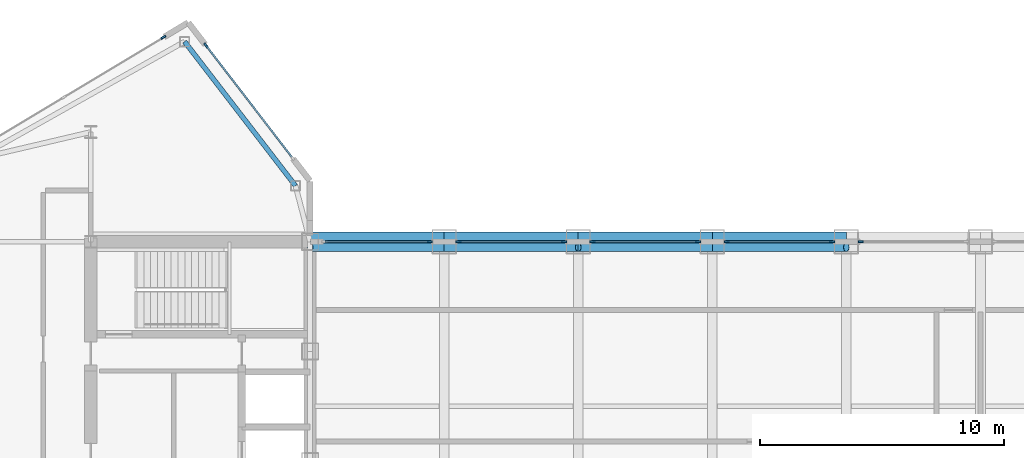
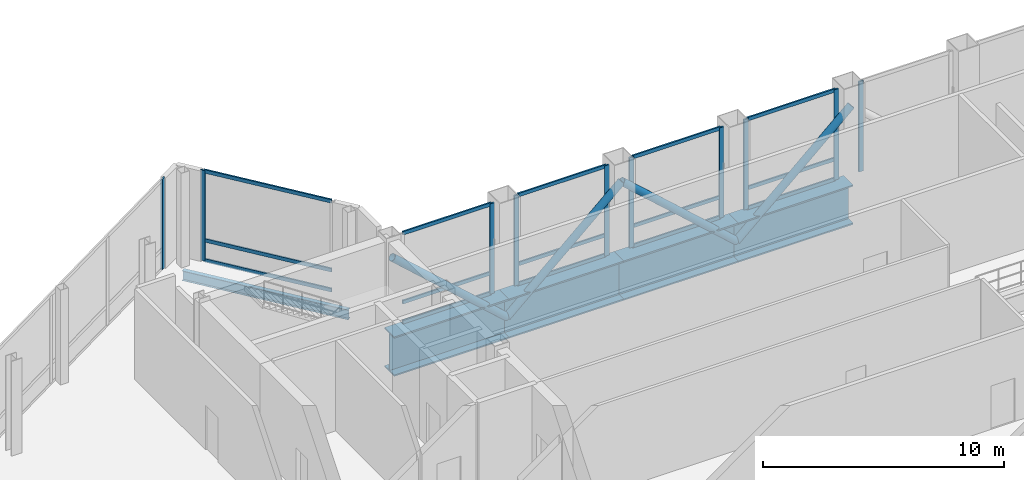
# One storey, part 12 of 30: 29 members, 5 beams, 7 elements without a shape of their own.
"""IFC4 building model written with IfcOpenShell, lengths in metres."""

import ifcopenshell
import ifcopenshell.guid

model = None  # the IFC model being written
_history = None  # IfcOwnerHistory: only IFC2X3 demands one
_inside = {}  # id of a spatial element -> (the spatial element, [elements in it])
_under = {}  # id of a project, library or spatial element -> (it, [spatial elements below it])
_declared = {}  # id of a project -> (the project, [libraries it declares])
_typed = {}  # id of a type object -> (the type object, [elements of that type])
_made_of = {}  # id of a material, layer set ... -> (it, [elements and type objects made of it])


def new_model(schema):
    """Start an empty IFC model of exactly this schema.

    Asked for "IFC4X3", IfcOpenShell would pick the latest addendum, in which some entities
    have other attributes; the version numbers below select the first issue.
    IFC2X3 requires an IfcOwnerHistory on every rooted entity: one is made here for all.
    """
    global model, _history
    if schema == "IFC4X3":
        model = ifcopenshell.file(schema_version=(4, 3, 0, 0))
    else:
        model = ifcopenshell.file(schema=schema)
    _inside.clear()
    _under.clear()
    _declared.clear()
    _typed.clear()
    _made_of.clear()
    _history = None
    if model.schema == "IFC2X3":
        org = make("IfcOrganization", Name="unknown")
        user = make(
            "IfcPersonAndOrganization",
            ThePerson=make("IfcPerson", FamilyName="unknown"),
            TheOrganization=org,
        )
        app = make(
            "IfcApplication",
            ApplicationDeveloper=org,
            Version="unknown",
            ApplicationFullName="unknown",
            ApplicationIdentifier="unknown",
        )
        _history = make(
            "IfcOwnerHistory",
            OwningUser=user,
            OwningApplication=app,
            ChangeAction="ADDED",
            CreationDate=0,
        )
    return model


def make(cls, **values):
    """One entity of the class cls with the attributes given. An attribute that is None is left unset."""
    return model.create_entity(
        cls, **{name: value for name, value in values.items() if value is not None}
    )


def rooted(cls, **values):
    """An entity with a GlobalId (a new one), such as an element, a storey or a relation."""
    return make(cls, GlobalId=ifcopenshell.guid.new(), OwnerHistory=_history, **values)


def si_unit(unit_type, name, prefix=None):
    """IfcSIUnit, for example si_unit("LENGTHUNIT", "METRE", prefix="MILLI")."""
    return make("IfcSIUnit", UnitType=unit_type, Prefix=prefix, Name=name)


def assignment(units):
    """IfcUnitAssignment: the units of a project."""
    return None if units is None else make("IfcUnitAssignment", Units=units)


def point(xyz):
    """IfcCartesianPoint."""
    return None if xyz is None else make("IfcCartesianPoint", Coordinates=xyz)


def direction(xyz):
    """IfcDirection."""
    return None if xyz is None else make("IfcDirection", DirectionRatios=xyz)


def frame(location, z_axis=None, x_axis=None):
    """IfcAxis2Placement3D, a coordinate frame: its origin and axes. An axis left out is left unset."""
    return make(
        "IfcAxis2Placement3D",
        Location=point(location),
        Axis=direction(z_axis),
        RefDirection=direction(x_axis),
    )


def frame_2d(location, x_axis=None):
    """IfcAxis2Placement2D, a coordinate frame in the plane: its origin and x axis."""
    return make(
        "IfcAxis2Placement2D", Location=point(location), RefDirection=direction(x_axis)
    )


def origin():
    """The frame at (0, 0, 0) with its axes left unset."""
    return frame((0.0, 0.0, 0.0))


def origin_2d():
    """The frame at (0, 0) in the plane with its x axis left unset."""
    return frame_2d((0.0, 0.0))


def place(relative_to, where):
    """IfcLocalPlacement: puts the frame where relative to a parent placement (None: the world)."""
    return make(
        "IfcLocalPlacement", PlacementRelTo=relative_to, RelativePlacement=where
    )


def context(
    kind, dimensions, precision=None, world=None, true_north=None, identifier=None
):
    """IfcGeometricRepresentationContext, for example the 3D "Model" context."""
    return make(
        "IfcGeometricRepresentationContext",
        ContextIdentifier=identifier,
        ContextType=kind,
        CoordinateSpaceDimension=dimensions,
        Precision=precision,
        WorldCoordinateSystem=world,
        TrueNorth=true_north,
    )


def subcontext(parent, identifier, kind, view, scale=None):
    """IfcGeometricRepresentationSubContext, for example "Body" below "Model"."""
    return make(
        "IfcGeometricRepresentationSubContext",
        ContextIdentifier=identifier,
        ContextType=kind,
        ParentContext=parent,
        TargetScale=scale,
        TargetView=view,
    )


def project(units=None, contexts=None):
    """IfcProject with its units and contexts."""
    return rooted(
        "IfcProject",
        Name="project",
        RepresentationContexts=contexts,
        UnitsInContext=assignment(units),
    )


def spatial(cls, under=None, at=None, **own):
    """A site, building, storey or space (cls), placed at a placement, below another one or the project."""
    s = rooted(cls, ObjectPlacement=at, **own)
    if under is not None:
        _under.setdefault(under.id(), (under, []))[1].append(s)
    return s


def profile(cls, at=None, kind="AREA", **sizes):
    """A parametric profile (cls). Its sizes go by their IFC names, for example OverallWidth=200.0."""
    return make(cls, ProfileType=kind, Position=at, **sizes)


def rectangle(**sizes):
    """IfcRectangleProfileDef."""
    return profile("IfcRectangleProfileDef", **sizes)


def hollow_circle(**sizes):
    """IfcCircleHollowProfileDef."""
    return profile("IfcCircleHollowProfileDef", **sizes)


def i_section(**sizes):
    """IfcIShapeProfileDef."""
    return profile("IfcIShapeProfileDef", **sizes)


def extrude(swept, where, along, depth):
    """IfcExtrudedAreaSolid: the profile swept, set in the frame where, extruded along a direction by depth."""
    return make(
        "IfcExtrudedAreaSolid",
        SweptArea=swept,
        Position=where,
        ExtrudedDirection=direction(along),
        Depth=depth,
    )


def shape(context_of_items, identifier, shape_type, items):
    """IfcShapeRepresentation: the items that make up one representation, for example the "Body"."""
    return make(
        "IfcShapeRepresentation",
        ContextOfItems=context_of_items,
        RepresentationIdentifier=identifier,
        RepresentationType=shape_type,
        Items=items,
    )


def source(mapping_origin, context_of_items, identifier, shape_type, items):
    """IfcRepresentationMap: a shape defined once, which mapped items show again and again."""
    return make(
        "IfcRepresentationMap",
        MappingOrigin=mapping_origin,
        MappedRepresentation=shape(context_of_items, identifier, shape_type, items),
    )


def transform(
    local_origin,
    x_axis=None,
    y_axis=None,
    z_axis=None,
    scale=None,
    scale2=None,
    scale3=None,
    uniform=True,
):
    """IfcCartesianTransformationOperator3D, or its non-uniform kind. x_axis, y_axis, z_axis: its Axis1, 2, 3."""
    if uniform:
        return make(
            "IfcCartesianTransformationOperator3D",
            Axis1=direction(x_axis),
            Axis2=direction(y_axis),
            LocalOrigin=point(local_origin),
            Scale=scale,
            Axis3=direction(z_axis),
        )
    return make(
        "IfcCartesianTransformationOperator3DnonUniform",
        Axis1=direction(x_axis),
        Axis2=direction(y_axis),
        LocalOrigin=point(local_origin),
        Scale=scale,
        Axis3=direction(z_axis),
        Scale2=scale2,
        Scale3=scale3,
    )


def mapped(mapping_source, mapping_target):
    """IfcMappedItem: shows the shape of a source again, moved by a transform."""
    return make(
        "IfcMappedItem", MappingSource=mapping_source, MappingTarget=mapping_target
    )


def material(Name=None, Category=None):
    """IfcMaterial."""
    return make("IfcMaterial", Name=Name, Category=Category)


def layer(
    of_material, thickness, ventilated=None, Name=None, Category=None, Priority=None
):
    """IfcMaterialLayer: one layer of a wall or slab, of a material (None: an air gap)."""
    return make(
        "IfcMaterialLayer",
        Material=of_material,
        LayerThickness=thickness,
        IsVentilated=ventilated,
        Name=Name,
        Category=Category,
        Priority=Priority,
    )


def layer_set(layers, Name=None):
    """IfcMaterialLayerSet."""
    return make("IfcMaterialLayerSet", MaterialLayers=layers, LayerSetName=Name)


def material_profile(
    of_material, cross_section, Name=None, Category=None, Priority=None
):
    """IfcMaterialProfile: a cross section and its material."""
    return make(
        "IfcMaterialProfile",
        Name=Name,
        Material=of_material,
        Profile=cross_section,
        Priority=Priority,
        Category=Category,
    )


def profile_set(profiles, Name=None, composite=None):
    """IfcMaterialProfileSet."""
    return make(
        "IfcMaterialProfileSet",
        Name=Name,
        MaterialProfiles=profiles,
        CompositeProfile=composite,
    )


def made_of(thing, what):
    """Note that an element or type object is made of a material, layer set ...; save() writes the relation."""
    if what is not None:
        _made_of.setdefault(what.id(), (what, []))[1].append(thing)
    return thing


def type_object(cls, material=None, **own):
    """A type object (cls), such as IfcWallType, which elements share."""
    return made_of(rooted(cls, **own), material)


def type_shapes(of_type, sources):
    """Give a type object the sources (RepresentationMaps) that its elements show as mapped items."""
    of_type.RepresentationMaps = sources


def element(
    cls,
    number,
    at=None,
    inside=None,
    cuts=None,
    type_object=None,
    material=None,
    context=None,
    identifier="Body",
    shape_type=None,
    held_by="IfcProductDefinitionShape",
    body=None,
    shapes=None,
    **own,
):
    """One element of the class cls, such as IfcWall. Its Tag is "e" and its number.

    at: its placement. inside: the storey or other place that contains it. cuts: it is an
    opening in that element (IfcRelVoidsElement). A single representation is given by context,
    identifier, shape_type and body (its items); several are given by shapes. held_by: the class
    of the entity that holds the representations. save() writes the other relations.
    """
    e = rooted(cls, Tag="e%d" % number, ObjectPlacement=at, **own)
    if body is not None:
        shapes = [shape(context, identifier, shape_type, body)]
    if shapes is not None:
        e.Representation = make(held_by, Representations=shapes)
    if inside is not None:
        _inside.setdefault(inside.id(), (inside, []))[1].append(e)
    if cuts is not None:
        rooted(
            "IfcRelVoidsElement", RelatingBuildingElement=cuts, RelatedOpeningElement=e
        )
    if type_object is not None:
        _typed.setdefault(type_object.id(), (type_object, []))[1].append(e)
    return made_of(e, material)


def aggregate(whole, parts):
    """IfcRelAggregates: a whole, such as a stair, and the parts it consists of."""
    return rooted("IfcRelAggregates", RelatingObject=whole, RelatedObjects=parts)


def save(model, path):
    """Write the relations noted so far, then the file.

    IfcRelAggregates (storeys below a building ...), IfcRelContainedInSpatialStructure (elements
    in a storey), IfcRelDefinesByType, IfcRelAssociatesMaterial and IfcRelDeclares: one each for
    every whole, place, type object, material and project.
    """
    for whole, parts in _under.values():
        aggregate(whole, parts)
    for where, things in _inside.values():
        rooted(
            "IfcRelContainedInSpatialStructure",
            RelatedElements=things,
            RelatingStructure=where,
        )
    for kind, things in _typed.values():
        rooted("IfcRelDefinesByType", RelatedObjects=things, RelatingType=kind)
    for what, things in _made_of.values():
        rooted("IfcRelAssociatesMaterial", RelatedObjects=things, RelatingMaterial=what)
    for by, libraries in _declared.values():
        rooted("IfcRelDeclares", RelatingContext=by, RelatedDefinitions=libraries)
    model.write(path)


model = new_model("IFC4")

# Units and contexts
model_context = context("Model", 3, precision=1e-05, world=origin(), true_north=direction((0.0, 1.0)))
body_context = subcontext(model_context, "Body", "Model", "MODEL_VIEW")
ifc_project = project(units=[si_unit("LENGTHUNIT", "METRE"), si_unit("AREAUNIT", "SQUARE_METRE"), si_unit("VOLUMEUNIT", "CUBIC_METRE"), si_unit("PLANEANGLEUNIT", "RADIAN"), si_unit("MASSUNIT", "GRAM", prefix="KILO")], contexts=[model_context])

# Site, building, storey
site_placement = place(None, origin())
site = spatial("IfcSite", under=ifc_project, at=site_placement, CompositionType="ELEMENT")
building_placement = place(site_placement, origin())
building = spatial("IfcBuilding", under=site, at=building_placement, Name="Seokmaru Belvedere", CompositionType="ELEMENT")
storey_placement = place(building_placement, frame((0.0, 0.0, 234.60009765625)))
storey = spatial("IfcBuildingStorey", under=building, at=storey_placement, Name="L62", CompositionType="ELEMENT", Elevation=234.60009765625)

# Beams
ifc_material_1 = material(Name="Steel SM355 (355 MPa)", Category="steel")
ifc_material_profile_1 = material_profile(ifc_material_1, i_section(OverallWidth=0.199951171875, OverallDepth=0.5, WebThickness=0.010009765625, FlangeThickness=0.01611328125, at=origin_2d()), Name="H-500x200x10x16")
ifc_profile_set_1 = profile_set([ifc_material_profile_1], Name="Steel SM355 (355 MPa)")
beam_type_1 = type_object("IfcBeamType", Name="Perimeter Spandrel Beam H-500", PredefinedType="SPANDREL", material=ifc_profile_set_1)
shared_shape_1 = source(origin(), body_context, "Body", "SweptSolid", [
    extrude(i_section(OverallWidth=0.199951171875, OverallDepth=0.5, WebThickness=0.010009765625, FlangeThickness=0.01611328125, at=origin_2d()), origin(), (0.0, 0.0, 1.0), 7.4619140625),
])
type_shapes(beam_type_1, [shared_shape_1])
beam_placement = place(storey_placement, frame((-32.649658203125, 21.71044921875, -0.510009765625), z_axis=(0.609702854945, -0.792630070507, 0.0), x_axis=(0.792630070507, 0.609702854945, 0.0)))
element("IfcBeam", 1, at=beam_placement, inside=storey, type_object=beam_type_1, Name="L62 W Shoulder Chamfer Spandrel N", PredefinedType="SPANDREL", context=body_context, shape_type="MappedRepresentation", body=[
    mapped(shared_shape_1, transform((0.0, 0.0, 0.0), scale=1.0)),
])
ifc_material_2 = material(Name="Steel HSA650 (650 MPa)", Category="steel")
ifc_material_profile_2 = material_profile(ifc_material_2, i_section(OverallWidth=0.800048828125, OverallDepth=2.0, WebThickness=0.0400390625, FlangeThickness=0.070068359375, at=origin_2d()), Name="BH-2000x800x40x70")
ifc_profile_set_2 = profile_set([ifc_material_profile_2], Name="Steel HSA650 (650 MPa)")
beam_type_2 = type_object("IfcBeamType", Name="Sky-Gate Transfer Truss Chord Girder BH-2000", PredefinedType="BEAM", material=ifc_profile_set_2)
shared_shape_2 = source(origin(), body_context, "Body", "SweptSolid", [
    extrude(i_section(OverallWidth=0.800048828125, OverallDepth=2.0, WebThickness=0.0400390625, FlangeThickness=0.070068359375, at=origin_2d()), origin(), (0.0, 0.0, 1.0), 5.5),
])
type_shapes(beam_type_2, [shared_shape_2])
for number, where, z_axis, x_axis, name in (
    (2, (-27.5, 13.5, -1.260009765625), (1.0, 0.0, 0.0), (0.0, 1.0, 0.0), "L62 Sky-Gate Transfer Truss Chord N-02"),
    (3, (-22.0, 13.5, -1.260009765625), (1.0, 0.0, 0.0), (0.0, 1.0, 0.0), "L62 Sky-Gate Transfer Truss Chord N-03"),
    (4, (-16.5, 13.5, -1.260009765625), (1.0, 0.0, 0.0), (0.0, 1.0, 0.0), "L62 Sky-Gate Transfer Truss Chord N-04"),
    (5, (-11.0, 13.5, -1.260009765625), (1.0, 0.0, 0.0), (0.0, 1.0, 0.0), "L62 Sky-Gate Transfer Truss Chord N-05"),
):
    element("IfcBeam", number, at=place(storey_placement, frame(where, z_axis=z_axis, x_axis=x_axis)), inside=storey, type_object=beam_type_2, Name=name, PredefinedType="BEAM", context=body_context, shape_type="MappedRepresentation", body=[
        mapped(shared_shape_2, transform((0.0, 0.0, 0.0), scale=1.0)),
    ])

# Members
ifc_material_profile_3 = material_profile(ifc_material_2, hollow_circle(Radius=0.177734375, WallThickness=0.0126953125, at=origin_2d()), Name="CHS-355.6x12.7")
ifc_profile_set_3 = profile_set([ifc_material_profile_3], Name="Steel HSA650 (650 MPa)")
member_type_1 = type_object("IfcMemberType", Name="Sky-Gate Transfer Truss Secondary Brace CHS-356", PredefinedType="BRACE", material=ifc_profile_set_3)
shared_shape_3 = source(origin(), body_context, "Body", "SweptSolid", [
    extrude(hollow_circle(Radius=0.177734375, WallThickness=0.0126953125, at=origin_2d()), origin(), (0.0, 0.0, 1.0), 7.392822265625),
])
type_shapes(member_type_1, [shared_shape_3])
for number, where, z_axis, x_axis, name in (
    (6, (-27.5, 13.27099609375, 3.679931640625), (0.743970307126, 0.0, -0.668212677308), (0.0, 1.0, 0.0), "L62 Sky-Gate Transfer Truss Web Diagonal N-01"),
    (7, (-22.0, 13.27099609375, -1.260009765625), (0.743970307126, 0.0, 0.668212677308), (0.0, 1.0, 0.0), "L62 Sky-Gate Transfer Truss Web Diagonal N-02"),
    (8, (-16.5, 13.27099609375, 3.679931640625), (0.743970307126, 0.0, -0.668212677308), (0.0, 1.0, 0.0), "L62 Sky-Gate Transfer Truss Web Diagonal N-03"),
    (9, (-11.0, 13.27099609375, -1.260009765625), (0.743970307126, 0.0, 0.668212677308), (0.0, 1.0, 0.0), "L62 Sky-Gate Transfer Truss Web Diagonal N-04"),
):
    element("IfcMember", number, at=place(storey_placement, frame(where, z_axis=z_axis, x_axis=x_axis)), inside=storey, type_object=member_type_1, Name=name, PredefinedType="BRACE", context=body_context, shape_type="MappedRepresentation", body=[
        mapped(shared_shape_3, transform((0.0, 0.0, 0.0), scale=1.0)),
    ])

# Curtain wall, members
ifc_material_3 = material(Name="Bronze Triple Insulating Glass", Category="glass")
ifc_layer = layer(ifc_material_3, 0.219970703125)
ifc_layer_set = layer_set([ifc_layer], Name="Bronze Triple Insulating Glass")
curtain_wall_type = type_object("IfcCurtainWallType", Name="Sky-Gate Bridge Panorama Curtain Wall System CW-6", PredefinedType="NOTDEFINED", material=ifc_layer_set)
curtain_wall_1_placement = place(storey_placement, origin())
curtain_wall_1 = element("IfcCurtainWall", 10, at=curtain_wall_1_placement, inside=storey, type_object=curtain_wall_type, Name="L62 Curtain Wall WF2", PredefinedType="NOTDEFINED")
ifc_material_4 = material(Name="Anodised Bronze Aluminium", Category="aluminium")
ifc_material_profile_4 = material_profile(ifc_material_4, rectangle(XDim=0.074951171875, YDim=0.179931640625, at=origin_2d()), Name="CW-T-75x180")
ifc_profile_set_4 = profile_set([ifc_material_profile_4], Name="Anodised Bronze Aluminium")
member_type_2 = type_object("IfcMemberType", Name="Bronze Unitised Transom 75x180", PredefinedType="USERDEFINED", material=ifc_profile_set_4)
shared_shape_4 = source(origin(), body_context, "Body", "SweptSolid", [
    extrude(rectangle(XDim=0.074951171875, YDim=0.179931640625, at=origin_2d()), origin(), (0.0, 0.0, 1.0), 5.74072265625),
])
member_1_placement = place(storey_placement, frame((-28.25, 16.974853515625, 0.037353515625), z_axis=(-0.609686097287, 0.792642960465, 0.0), x_axis=(-0.792642960465, -0.609686097287, 0.0)))
member_1 = element("IfcMember", 11, at=member_1_placement, type_object=member_type_2, Name="CW:L62:WF2 Continuous Transom 1", ObjectType="TRANSOM", PredefinedType="USERDEFINED", context=body_context, shape_type="MappedRepresentation", body=[
    mapped(shared_shape_4, transform((0.0, 0.0, 0.0), scale=1.0)),
])
member_2_placement = place(storey_placement, frame((-28.25, 16.974853515625, 4.54248046875), z_axis=(-0.609686097287, 0.792642960465, 0.0), x_axis=(-0.792642960465, -0.609686097287, 0.0)))
member_2 = element("IfcMember", 12, at=member_2_placement, type_object=member_type_2, Name="CW:L62:WF2 Continuous Transom 2", ObjectType="TRANSOM", PredefinedType="USERDEFINED", context=body_context, shape_type="MappedRepresentation", body=[
    mapped(shared_shape_4, transform((0.0, 0.0, 0.0), scale=1.0)),
])
member_3_placement = place(storey_placement, frame((-28.25, 16.974853515625, 1.0498046875), z_axis=(-0.609686097287, 0.792642960465, 0.0), x_axis=(-0.792642960465, -0.609686097287, 0.0)))
member_3 = element("IfcMember", 13, at=member_3_placement, type_object=member_type_2, Name="CW:L62:WF2 Spandrel Transom 1", ObjectType="TRANSOM", PredefinedType="USERDEFINED", context=body_context, shape_type="MappedRepresentation", body=[
    mapped(shared_shape_4, transform((0.0, 0.0, 0.0), scale=1.0)),
])

curtain_wall_2_placement = place(storey_placement, origin())
curtain_wall_2 = element("IfcCurtainWall", 14, at=curtain_wall_2_placement, inside=storey, type_object=curtain_wall_type, Name="L62 Curtain Wall BR_N01", PredefinedType="NOTDEFINED")
shared_shape_5 = source(origin(), body_context, "Body", "SweptSolid", [
    extrude(rectangle(XDim=0.074951171875, YDim=0.179931640625, at=origin_2d()), origin(), (0.0, 0.0, 1.0), 4.240234375),
])
type_shapes(member_type_2, [shared_shape_4, shared_shape_5])
member_4_placement = place(storey_placement, frame((-22.6298828125, 13.5, 0.037353515625), z_axis=(-1.0, 0.0, 0.0), x_axis=(0.0, -1.0, 0.0)))
member_4 = element("IfcMember", 15, at=member_4_placement, type_object=member_type_2, Name="CW:L62:BR_N01 Continuous Transom 1", ObjectType="TRANSOM", PredefinedType="USERDEFINED", context=body_context, shape_type="MappedRepresentation", body=[
    mapped(shared_shape_5, transform((0.0, 0.0, 0.0), scale=1.0)),
])
member_5_placement = place(storey_placement, frame((-22.6298828125, 13.5, 4.54248046875), z_axis=(-1.0, 0.0, 0.0), x_axis=(0.0, -1.0, 0.0)))
member_5 = element("IfcMember", 16, at=member_5_placement, type_object=member_type_2, Name="CW:L62:BR_N01 Continuous Transom 2", ObjectType="TRANSOM", PredefinedType="USERDEFINED", context=body_context, shape_type="MappedRepresentation", body=[
    mapped(shared_shape_5, transform((0.0, 0.0, 0.0), scale=1.0)),
])
member_6_placement = place(storey_placement, frame((-22.6298828125, 13.5, 1.0498046875), z_axis=(-1.0, 0.0, 0.0), x_axis=(0.0, -1.0, 0.0)))
member_6 = element("IfcMember", 17, at=member_6_placement, type_object=member_type_2, Name="CW:L62:BR_N01 Spandrel Transom 1", ObjectType="TRANSOM", PredefinedType="USERDEFINED", context=body_context, shape_type="MappedRepresentation", body=[
    mapped(shared_shape_5, transform((0.0, 0.0, 0.0), scale=1.0)),
])

curtain_wall_3_placement = place(storey_placement, origin())
curtain_wall_3 = element("IfcCurtainWall", 18, at=curtain_wall_3_placement, inside=storey, type_object=curtain_wall_type, Name="L62 Curtain Wall BR_N02", PredefinedType="NOTDEFINED")
member_7_placement = place(storey_placement, frame((-17.1298828125, 13.5, 0.037353515625), z_axis=(-1.0, 0.0, 0.0), x_axis=(0.0, -1.0, 0.0)))
member_7 = element("IfcMember", 19, at=member_7_placement, type_object=member_type_2, Name="CW:L62:BR_N02 Continuous Transom 1", ObjectType="TRANSOM", PredefinedType="USERDEFINED", context=body_context, shape_type="MappedRepresentation", body=[
    mapped(shared_shape_5, transform((0.0, 0.0, 0.0), scale=1.0)),
])
member_8_placement = place(storey_placement, frame((-17.1298828125, 13.5, 4.54248046875), z_axis=(-1.0, 0.0, 0.0), x_axis=(0.0, -1.0, 0.0)))
member_8 = element("IfcMember", 20, at=member_8_placement, type_object=member_type_2, Name="CW:L62:BR_N02 Continuous Transom 2", ObjectType="TRANSOM", PredefinedType="USERDEFINED", context=body_context, shape_type="MappedRepresentation", body=[
    mapped(shared_shape_5, transform((0.0, 0.0, 0.0), scale=1.0)),
])
member_9_placement = place(storey_placement, frame((-17.1298828125, 13.5, 1.0498046875), z_axis=(-1.0, 0.0, 0.0), x_axis=(0.0, -1.0, 0.0)))
member_9 = element("IfcMember", 21, at=member_9_placement, type_object=member_type_2, Name="CW:L62:BR_N02 Spandrel Transom 1", ObjectType="TRANSOM", PredefinedType="USERDEFINED", context=body_context, shape_type="MappedRepresentation", body=[
    mapped(shared_shape_5, transform((0.0, 0.0, 0.0), scale=1.0)),
])

curtain_wall_4_placement = place(storey_placement, origin())
curtain_wall_4 = element("IfcCurtainWall", 22, at=curtain_wall_4_placement, inside=storey, type_object=curtain_wall_type, Name="L62 Curtain Wall BR_N03", PredefinedType="NOTDEFINED")
member_10_placement = place(storey_placement, frame((-11.6298828125, 13.5, 0.037353515625), z_axis=(-1.0, 0.0, 0.0), x_axis=(0.0, -1.0, 0.0)))
member_10 = element("IfcMember", 23, at=member_10_placement, type_object=member_type_2, Name="CW:L62:BR_N03 Continuous Transom 1", ObjectType="TRANSOM", PredefinedType="USERDEFINED", context=body_context, shape_type="MappedRepresentation", body=[
    mapped(shared_shape_5, transform((0.0, 0.0, 0.0), scale=1.0)),
])
member_11_placement = place(storey_placement, frame((-11.6298828125, 13.5, 4.54248046875), z_axis=(-1.0, 0.0, 0.0), x_axis=(0.0, -1.0, 0.0)))
member_11 = element("IfcMember", 24, at=member_11_placement, type_object=member_type_2, Name="CW:L62:BR_N03 Continuous Transom 2", ObjectType="TRANSOM", PredefinedType="USERDEFINED", context=body_context, shape_type="MappedRepresentation", body=[
    mapped(shared_shape_5, transform((0.0, 0.0, 0.0), scale=1.0)),
])
member_12_placement = place(storey_placement, frame((-11.6298828125, 13.5, 1.0498046875), z_axis=(-1.0, 0.0, 0.0), x_axis=(0.0, -1.0, 0.0)))
member_12 = element("IfcMember", 25, at=member_12_placement, type_object=member_type_2, Name="CW:L62:BR_N03 Spandrel Transom 1", ObjectType="TRANSOM", PredefinedType="USERDEFINED", context=body_context, shape_type="MappedRepresentation", body=[
    mapped(shared_shape_5, transform((0.0, 0.0, 0.0), scale=1.0)),
])

curtain_wall_5_placement = place(storey_placement, origin())
curtain_wall_5 = element("IfcCurtainWall", 26, at=curtain_wall_5_placement, inside=storey, type_object=curtain_wall_type, Name="L62 Curtain Wall BR_N04", PredefinedType="NOTDEFINED")
member_13_placement = place(storey_placement, frame((-6.1298828125, 13.5, 0.037353515625), z_axis=(-1.0, 0.0, 0.0), x_axis=(0.0, -1.0, 0.0)))
member_13 = element("IfcMember", 27, at=member_13_placement, type_object=member_type_2, Name="CW:L62:BR_N04 Continuous Transom 1", ObjectType="TRANSOM", PredefinedType="USERDEFINED", context=body_context, shape_type="MappedRepresentation", body=[
    mapped(shared_shape_5, transform((0.0, 0.0, 0.0), scale=1.0)),
])
member_14_placement = place(storey_placement, frame((-6.1298828125, 13.5, 4.54248046875), z_axis=(-1.0, 0.0, 0.0), x_axis=(0.0, -1.0, 0.0)))
member_14 = element("IfcMember", 28, at=member_14_placement, type_object=member_type_2, Name="CW:L62:BR_N04 Continuous Transom 2", ObjectType="TRANSOM", PredefinedType="USERDEFINED", context=body_context, shape_type="MappedRepresentation", body=[
    mapped(shared_shape_5, transform((0.0, 0.0, 0.0), scale=1.0)),
])
member_15_placement = place(storey_placement, frame((-6.1298828125, 13.5, 1.0498046875), z_axis=(-1.0, 0.0, 0.0), x_axis=(0.0, -1.0, 0.0)))
member_15 = element("IfcMember", 29, at=member_15_placement, type_object=member_type_2, Name="CW:L62:BR_N04 Spandrel Transom 1", ObjectType="TRANSOM", PredefinedType="USERDEFINED", context=body_context, shape_type="MappedRepresentation", body=[
    mapped(shared_shape_5, transform((0.0, 0.0, 0.0), scale=1.0)),
])

# Member
ifc_material_profile_5 = material_profile(ifc_material_4, rectangle(XDim=0.080078125, YDim=0.219970703125, at=origin_2d()), Name="CW-M-80x220")
ifc_profile_set_5 = profile_set([ifc_material_profile_5], Name="Anodised Bronze Aluminium")
member_type_3 = type_object("IfcMemberType", Name="Bronze Unitised Mullion 80x220", PredefinedType="MULLION", material=ifc_profile_set_5)
shared_shape_6 = source(origin(), body_context, "Body", "SweptSolid", [
    extrude(rectangle(XDim=0.080078125, YDim=0.219970703125, at=origin_2d()), origin(), (0.0, 0.0, 1.0), 4.579833984375),
])
type_shapes(member_type_3, [shared_shape_6])
member_16_placement = place(storey_placement, frame((-31.7744140625, 21.556884765625, 0.0), z_axis=(0.0, 0.0, 1.0), x_axis=(-0.792631353244, -0.609701187349, 0.0)))
member_16 = element("IfcMember", 30, at=member_16_placement, type_object=member_type_3, Name="CW:L62:WF2 Mullion 2", PredefinedType="MULLION", context=body_context, shape_type="MappedRepresentation", body=[
    mapped(shared_shape_6, transform((0.0, 0.0, 0.0), scale=1.0)),
])

aggregate(curtain_wall_1, [member_16, member_1, member_2, member_3])

# Curtain wall, member
curtain_wall_6_placement = place(storey_placement, origin())
curtain_wall_6 = element("IfcCurtainWall", 31, at=curtain_wall_6_placement, inside=storey, type_object=curtain_wall_type, Name="L62 Curtain Wall WF3", PredefinedType="NOTDEFINED")
member_17_placement = place(storey_placement, frame((-33.5205078125, 21.8876953125, 0.0), z_axis=(0.0, 0.0, 1.0), x_axis=(0.514494909364, -0.85749343335, 0.0)))
member_17 = element("IfcMember", 32, at=member_17_placement, type_object=member_type_3, Name="CW:L62:WF3 Mullion 1", PredefinedType="MULLION", context=body_context, shape_type="MappedRepresentation", body=[
    mapped(shared_shape_6, transform((0.0, 0.0, 0.0), scale=1.0)),
])
aggregate(curtain_wall_6, [member_17])

# Member
member_18_placement = place(storey_placement, frame((-22.590087890625, 13.5, 0.0), z_axis=(0.0, 0.0, 1.0), x_axis=(0.0, -1.0, 0.0)))
member_18 = element("IfcMember", 33, at=member_18_placement, type_object=member_type_3, Name="CW:L62:BR_N01 Mullion 1", PredefinedType="MULLION", context=body_context, shape_type="MappedRepresentation", body=[
    mapped(shared_shape_6, transform((0.0, 0.0, 0.0), scale=1.0)),
])

aggregate(curtain_wall_2, [member_18, member_4, member_5, member_6])

member_19_placement = place(storey_placement, frame((-17.090087890625, 13.5, 0.0), z_axis=(0.0, 0.0, 1.0), x_axis=(0.0, -1.0, 0.0)))
member_19 = element("IfcMember", 34, at=member_19_placement, type_object=member_type_3, Name="CW:L62:BR_N02 Mullion 1", PredefinedType="MULLION", context=body_context, shape_type="MappedRepresentation", body=[
    mapped(shared_shape_6, transform((0.0, 0.0, 0.0), scale=1.0)),
])

member_20_placement = place(storey_placement, frame((-21.409912109375, 13.5, 0.0), z_axis=(0.0, 0.0, 1.0), x_axis=(0.0, -1.0, 0.0)))
member_20 = element("IfcMember", 35, at=member_20_placement, type_object=member_type_3, Name="CW:L62:BR_N02 Mullion 2", PredefinedType="MULLION", context=body_context, shape_type="MappedRepresentation", body=[
    mapped(shared_shape_6, transform((0.0, 0.0, 0.0), scale=1.0)),
])

aggregate(curtain_wall_3, [member_19, member_20, member_7, member_8, member_9])

member_21_placement = place(storey_placement, frame((-11.590087890625, 13.5, 0.0), z_axis=(0.0, 0.0, 1.0), x_axis=(0.0, -1.0, 0.0)))
member_21 = element("IfcMember", 36, at=member_21_placement, type_object=member_type_3, Name="CW:L62:BR_N03 Mullion 1", PredefinedType="MULLION", context=body_context, shape_type="MappedRepresentation", body=[
    mapped(shared_shape_6, transform((0.0, 0.0, 0.0), scale=1.0)),
])

member_22_placement = place(storey_placement, frame((-15.909912109375, 13.5, 0.0), z_axis=(0.0, 0.0, 1.0), x_axis=(0.0, -1.0, 0.0)))
member_22 = element("IfcMember", 37, at=member_22_placement, type_object=member_type_3, Name="CW:L62:BR_N03 Mullion 2", PredefinedType="MULLION", context=body_context, shape_type="MappedRepresentation", body=[
    mapped(shared_shape_6, transform((0.0, 0.0, 0.0), scale=1.0)),
])

aggregate(curtain_wall_4, [member_21, member_22, member_10, member_11, member_12])

member_23_placement = place(storey_placement, frame((-6.090087890625, 13.5, 0.0), z_axis=(0.0, 0.0, 1.0), x_axis=(0.0, -1.0, 0.0)))
member_23 = element("IfcMember", 38, at=member_23_placement, type_object=member_type_3, Name="CW:L62:BR_N04 Mullion 1", PredefinedType="MULLION", context=body_context, shape_type="MappedRepresentation", body=[
    mapped(shared_shape_6, transform((0.0, 0.0, 0.0), scale=1.0)),
])

member_24_placement = place(storey_placement, frame((-10.409912109375, 13.5, 0.0), z_axis=(0.0, 0.0, 1.0), x_axis=(0.0, -1.0, 0.0)))
member_24 = element("IfcMember", 39, at=member_24_placement, type_object=member_type_3, Name="CW:L62:BR_N04 Mullion 2", PredefinedType="MULLION", context=body_context, shape_type="MappedRepresentation", body=[
    mapped(shared_shape_6, transform((0.0, 0.0, 0.0), scale=1.0)),
])

aggregate(curtain_wall_5, [member_23, member_24, member_13, member_14, member_15])

# Curtain wall, member
curtain_wall_7_placement = place(storey_placement, origin())
curtain_wall_7 = element("IfcCurtainWall", 40, at=curtain_wall_7_placement, inside=storey, type_object=curtain_wall_type, Name="L62 Curtain Wall BR_N05", PredefinedType="NOTDEFINED")
member_25_placement = place(storey_placement, frame((-4.909912109375, 13.5, 0.0), z_axis=(0.0, 0.0, 1.0), x_axis=(0.0, -1.0, 0.0)))
member_25 = element("IfcMember", 41, at=member_25_placement, type_object=member_type_3, Name="CW:L62:BR_N05 Mullion 2", PredefinedType="MULLION", context=body_context, shape_type="MappedRepresentation", body=[
    mapped(shared_shape_6, transform((0.0, 0.0, 0.0), scale=1.0)),
])
aggregate(curtain_wall_7, [member_25])

save(model, "model.ifc")
